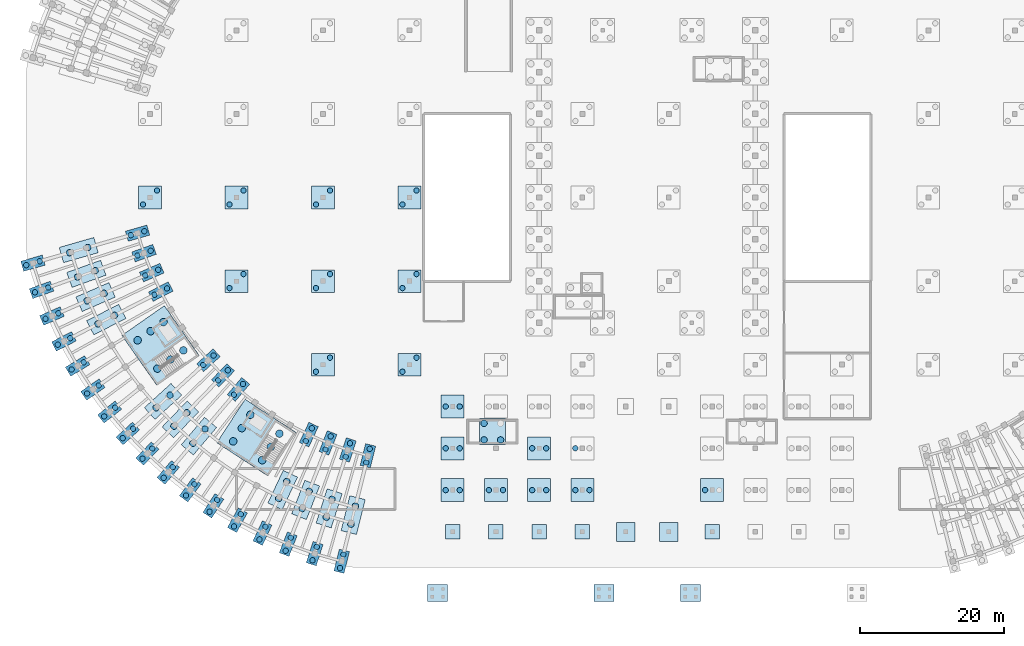
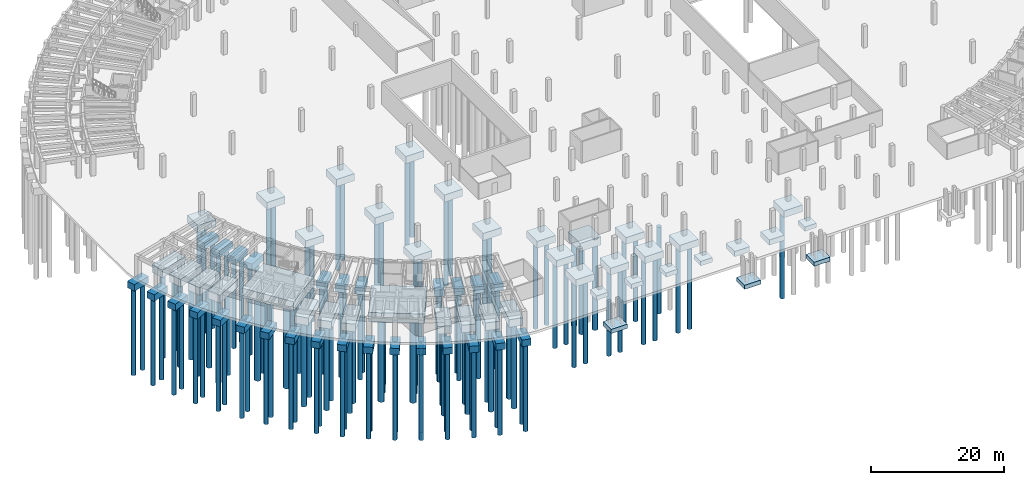
# One storey, part 1 of 29: 127 piles, 69 footings.
"""IFC4 building model written with IfcOpenShell, lengths in metres."""

from ifc_helpers import new_model, si_unit, direction, frame, origin, origin_2d, place, context, subcontext, project, spatial, rectangle, circle, extrude, material, material_profile, profile_set, type_object, element, save


model = new_model("IFC4")

# Units and contexts
model_context = context("Model", 3, precision=1e-05, world=origin(), true_north=direction((0.0, 1.0)))
body_context = subcontext(model_context, "Body", "Model", "MODEL_VIEW")
ifc_project = project(units=[si_unit("LENGTHUNIT", "METRE"), si_unit("AREAUNIT", "SQUARE_METRE"), si_unit("VOLUMEUNIT", "CUBIC_METRE"), si_unit("PLANEANGLEUNIT", "RADIAN"), si_unit("MASSUNIT", "GRAM", prefix="KILO")], contexts=[model_context])

# Site, building, storey
site_placement = place(None, origin())
site = spatial("IfcSite", under=ifc_project, at=site_placement, CompositionType="ELEMENT")
building_placement = place(site_placement, origin())
building = spatial("IfcBuilding", under=site, at=building_placement, Name="Tanwirah Colonnade Gardens", CompositionType="ELEMENT")
storey_placement = place(building_placement, frame((0.0, 0.0, -4.199951171875)))
storey = spatial("IfcBuildingStorey", under=building, at=storey_placement, Name="B1", CompositionType="ELEMENT", Elevation=-4.199951171875)

# Footings
ifc_material = material(Name="Concrete C45/55", Category="concrete")
footing_type_1 = type_object("IfcFootingType", Name="PC-2P75A", PredefinedType="PILE_CAP", material=ifc_material)
for number, where, z_axis, x_axis, name in (
    (1, (22.27197265625, 52.247802734375, -1.64990234375), (0.0, 0.0, 1.0), (-0.961261695938, -0.275637355817, 0.0), "Footing CAP-C-IN-00"),
    (2, (7.7568359375, 48.085693359375, -1.64990234375), (0.0, 0.0, 1.0), (-0.961261695938, -0.275637355817, 0.0), "Footing CAP-C-OUT-00"),
    (3, (23.164794921875, 49.4794921875, -1.64990234375), (0.0, 0.0, 1.0), (-0.941176015256, -0.337916718003, 0.0), "Footing CAP-C-IN-01"),
    (4, (8.952880859375, 44.376953125, -1.64990234375), (0.0, 0.0, 1.0), (-0.941176015256, -0.337916718003, 0.0), "Footing CAP-C-OUT-01"),
    (5, (24.236572265625, 46.775634765625, -1.64990234375), (0.0, 0.0, 1.0), (-0.917060074385, -0.398749068925, 0.0), "Footing CAP-C-IN-02"),
    (6, (10.38916015625, 40.75439453125, -1.64990234375), (0.0, 0.0, 1.0), (-0.917060074385, -0.398749068925, 0.0), "Footing CAP-C-OUT-02"),
    (7, (25.483154296875, 44.1474609375, -1.64990234375), (0.0, 0.0, 1.0), (-0.889017141486, -0.457873915117, 0.0), "Footing CAP-C-IN-03"),
    (8, (12.05908203125, 37.233642578125, -1.64990234375), (0.0, 0.0, 1.0), (-0.889017141486, -0.457873915117, 0.0), "Footing CAP-C-OUT-03"),
    (9, (13.95556640625, 33.82958984375, -1.64990234375), (0.0, 0.0, 1.0), (-0.857167300702, -0.51503807491, 0.0), "Footing CAP-C-OUT-04"),
    (10, (16.071044921875, 30.556640625, -1.64990234375), (0.0, 0.0, 1.0), (-0.821646937942, -0.569996762596, 0.0), "Footing CAP-C-OUT-05"),
    (11, (18.395751953125, 27.42919921875, -1.64990234375), (0.0, 0.0, 1.0), (-0.782608156852, -0.622514636638, 0.0), "Footing CAP-C-OUT-06"),
    (12, (32.097412109375, 34.61328125, -1.64990234375), (0.0, 0.0, 1.0), (-0.740218127487, -0.672366807435, 0.0), "Footing CAP-C-IN-07"),
    (13, (20.919921875, 24.46044921875, -1.64990234375), (0.0, 0.0, 1.0), (-0.740218127487, -0.672366807435, 0.0), "Footing CAP-C-OUT-07"),
    (14, (34.122314453125, 32.525390625, -1.64990234375), (0.0, 0.0, 1.0), (-0.694658370459, -0.719339800339, 0.0), "Footing CAP-C-IN-08"),
    (15, (23.633056640625, 21.663330078125, -1.64990234375), (0.0, 0.0, 1.0), (-0.694658370459, -0.719339800339, 0.0), "Footing CAP-C-OUT-08"),
    (16, (36.27978515625, 30.57421875, -1.64990234375), (0.0, 0.0, 1.0), (-0.646123979643, -0.763232469783, 0.0), "Footing CAP-C-IN-09"),
    (17, (26.5234375, 19.049560546875, -1.64990234375), (0.0, 0.0, 1.0), (-0.646123979643, -0.763232469783, 0.0), "Footing CAP-C-OUT-09"),
    (18, (29.578369140625, 16.63037109375, -1.64990234375), (0.0, 0.0, 1.0), (-0.594822786751, -0.803856860617, 0.0), "Footing CAP-C-OUT-10"),
    (19, (32.784912109375, 14.416015625, -1.64990234375), (0.0, 0.0, 1.0), (-0.540974471368, -0.841039012964, 0.0), "Footing CAP-C-OUT-11"),
    (20, (36.129638671875, 12.41650390625, -1.64990234375), (0.0, 0.0, 1.0), (-0.484809620246, -0.874619707139, 0.0), "Footing CAP-C-OUT-12"),
    (21, (46.0390625, 24.296875, -1.64990234375), (0.0, 0.0, 1.0), (-0.426568739901, -0.904455145454, 0.0), "Footing CAP-C-IN-13"),
    (22, (39.597900390625, 10.6396484375, -1.64990234375), (0.0, 0.0, 1.0), (-0.426568739901, -0.904455145454, 0.0), "Footing CAP-C-OUT-13"),
    (23, (48.708984375, 23.142822265625, -1.64990234375), (0.0, 0.0, 1.0), (-0.366501226724, -0.930417567982, 0.0), "Footing CAP-C-IN-14"),
    (24, (43.1748046875, 9.09375, -1.64990234375), (0.0, 0.0, 1.0), (-0.366501226724, -0.930417567982, 0.0), "Footing CAP-C-OUT-14"),
    (25, (51.44873046875, 22.166015625, -1.64990234375), (0.0, 0.0, 1.0), (-0.304864299028, -0.952395799643, 0.0), "Footing CAP-C-IN-15"),
    (26, (46.84521484375, 7.784912109375, -1.64990234375), (0.0, 0.0, 1.0), (-0.304864299028, -0.952395799643, 0.0), "Footing CAP-C-OUT-15"),
    (27, (54.24658203125, 21.370361328125, -1.64990234375), (0.0, 0.0, 1.0), (-0.2419218956, -0.970295726276, 0.0), "Footing CAP-C-IN-16"),
    (28, (50.593505859375, 6.718994140625, -1.64990234375), (0.0, 0.0, 1.0), (-0.2419218956, -0.970295726276, 0.0), "Footing CAP-C-OUT-16"),
):
    element("IfcFooting", number, at=place(storey_placement, frame(where, z_axis=z_axis, x_axis=x_axis)), inside=storey, type_object=footing_type_1, Name=name, PredefinedType="PILE_CAP", context=body_context, shape_type="SweptSolid", body=[
        extrude(rectangle(XDim=3.10009765625, YDim=1.449951171875, at=origin_2d()), origin(), (0.0, 0.0, 1.0), 1.199951171875),
    ])
footing_type_2 = type_object("IfcFootingType", Name="PC-2P90A", PredefinedType="PILE_CAP", material=ifc_material)
for number, where, z_axis, x_axis, name in (
    (29, (14.10107421875, 49.905029296875, -1.85009765625), (0.0, 0.0, 1.0), (-0.961261695938, -0.275637355817, 0.0), "Footing CAP-C-MD-00"),
    (30, (15.164794921875, 46.607421875, -1.85009765625), (0.0, 0.0, 1.0), (-0.941176015256, -0.337916718003, 0.0), "Footing CAP-C-MD-01"),
    (31, (16.441650390625, 43.38623046875, -1.85009765625), (0.0, 0.0, 1.0), (-0.917060074385, -0.398749068925, 0.0), "Footing CAP-C-MD-02"),
    (32, (17.926513671875, 40.255615234375, -1.85009765625), (0.0, 0.0, 1.0), (-0.889017141486, -0.457873915117, 0.0), "Footing CAP-C-MD-03"),
    (33, (25.805419921875, 28.898193359375, -1.85009765625), (0.0, 0.0, 1.0), (-0.740218127487, -0.672366807435, 0.0), "Footing CAP-C-MD-07"),
    (34, (28.2177734375, 26.410888671875, -1.85009765625), (0.0, 0.0, 1.0), (-0.694658370459, -0.719339800339, 0.0), "Footing CAP-C-MD-08"),
    (35, (30.787841796875, 24.0869140625, -1.85009765625), (0.0, 0.0, 1.0), (-0.646123979643, -0.763232469783, 0.0), "Footing CAP-C-MD-09"),
    (36, (42.4130859375, 16.609130859375, -1.85009765625), (0.0, 0.0, 1.0), (-0.426568739901, -0.904455145454, 0.0), "Footing CAP-C-MD-13"),
    (37, (45.59375, 15.234375, -1.85009765625), (0.0, 0.0, 1.0), (-0.366501226724, -0.930417567982, 0.0), "Footing CAP-C-MD-14"),
    (38, (48.857421875, 14.070556640625, -1.85009765625), (0.0, 0.0, 1.0), (-0.304864299028, -0.952395799643, 0.0), "Footing CAP-C-MD-15"),
    (39, (52.190185546875, 13.122802734375, -1.85009765625), (0.0, 0.0, 1.0), (-0.2419218956, -0.970295726276, 0.0), "Footing CAP-C-MD-16"),
):
    element("IfcFooting", number, at=place(storey_placement, frame(where, z_axis=z_axis, x_axis=x_axis)), inside=storey, type_object=footing_type_2, Name=name, PredefinedType="PILE_CAP", context=body_context, shape_type="SweptSolid", body=[
        extrude(rectangle(XDim=5.0, YDim=2.199951171875, at=origin_2d()), origin(), (0.0, 0.0, 1.0), 1.39990234375),
    ])
footing_type_3 = type_object("IfcFootingType", Name="PC-4P75", PredefinedType="PILE_CAP", material=ifc_material)
for number, where, z_axis, x_axis, name in (
    (40, (24.0, 57.199951171875, -1.75), (0.0, 0.0, 1.0), (1.0, 0.0, 0.0), "Footing CAP-B1G-24-9"),
    (41, (36.0, 45.60009765625, -1.75), (0.0, 0.0, 1.0), (1.0, 0.0, 0.0), "Footing CAP-B1G-36-7"),
    (42, (36.0, 57.199951171875, -1.75), (0.0, 0.0, 1.0), (1.0, 0.0, 0.0), "Footing CAP-B1G-36-9"),
    (43, (48.0, 34.0, -1.75), (0.0, 0.0, 1.0), (1.0, 0.0, 0.0), "Footing CAP-B1G-48-5"),
    (44, (48.0, 45.60009765625, -1.75), (0.0, 0.0, 1.0), (1.0, 0.0, 0.0), "Footing CAP-B1G-48-7"),
    (45, (48.0, 57.199951171875, -1.75), (0.0, 0.0, 1.0), (1.0, 0.0, 0.0), "Footing CAP-B1G-48-9"),
    (46, (60.0, 34.0, -1.75), (0.0, 0.0, 1.0), (1.0, 0.0, 0.0), "Footing CAP-B1G-60-5"),
    (47, (60.0, 45.60009765625, -1.75), (0.0, 0.0, 1.0), (1.0, 0.0, 0.0), "Footing CAP-B1G-60-7"),
    (48, (60.0, 57.199951171875, -1.75), (0.0, 0.0, 1.0), (1.0, 0.0, 0.0), "Footing CAP-B1G-60-9"),
):
    element("IfcFooting", number, at=place(storey_placement, frame(where, z_axis=z_axis, x_axis=x_axis)), inside=storey, type_object=footing_type_3, Name=name, PredefinedType="PILE_CAP", context=body_context, shape_type="SweptSolid", body=[
        extrude(rectangle(XDim=3.14990234375, YDim=3.14990234375, at=origin_2d()), origin(), (0.0, 0.0, 1.0), 1.300048828125),
    ])
footing_type_4 = type_object("IfcFootingType", Name="PC-4P90", PredefinedType="PILE_CAP", material=ifc_material)
footing_placement = place(storey_placement, frame((71.5, 24.7099609375, -1.949951171875), z_axis=(0.0, 0.0, 1.0), x_axis=(1.0, 0.0, 0.0)))
element("IfcFooting", 49, at=footing_placement, inside=storey, type_object=footing_type_4, Name="Footing CAP-CORE-SW", PredefinedType="PILE_CAP", context=body_context, shape_type="SweptSolid", body=[
    extrude(rectangle(XDim=3.60009765625, YDim=3.60009765625, at=origin_2d()), origin(), (0.0, 0.0, 1.0), 1.5),
])
footing_type_5 = type_object("IfcFootingType", Name="PC-COREB", PredefinedType="PILE_CAP", material=ifc_material)
for number, where, z_axis, x_axis, name in (
    (50, (25.451416015625, 36.685546875, -2.14990234375), (0.0, 0.0, 1.0), (0.819152044289, 0.573576436351, 0.0), "Footing CAP-CORE-C1"),
    (51, (38.75048828125, 23.895751953125, -2.14990234375), (0.0, 0.0, 1.0), (0.544639035015, 0.838670567945, 0.0), "Footing CAP-CORE-C2"),
):
    element("IfcFooting", number, at=place(storey_placement, frame(where, z_axis=z_axis, x_axis=x_axis)), inside=storey, type_object=footing_type_5, Name=name, PredefinedType="PILE_CAP", context=body_context, shape_type="SweptSolid", body=[
        extrude(rectangle(XDim=7.199951171875, YDim=8.39990234375, at=origin_2d()), origin(), (0.0, 0.0, 1.0), 1.699951171875),
    ])
footing_type_6 = type_object("IfcFootingType", Name="PC-PAV1", PredefinedType="PILE_CAP", material=ifc_material)
for number, where, z_axis, x_axis, name in (
    (52, (66.0, 16.60009765625, -1.699951171875), (0.0, 0.0, 1.0), (1.0, 0.0, 0.0), "Footing CAP-SHP-W-0-1"),
    (53, (66.0, 22.39990234375, -1.699951171875), (0.0, 0.0, 1.0), (1.0, 0.0, 0.0), "Footing CAP-SHP-W-0-2"),
    (54, (66.0, 28.199951171875, -1.699951171875), (0.0, 0.0, 1.0), (1.0, 0.0, 0.0), "Footing CAP-SHP-W-0-3"),
    (55, (72.0, 16.60009765625, -1.699951171875), (0.0, 0.0, 1.0), (1.0, 0.0, 0.0), "Footing CAP-SHP-W-1-1"),
    (56, (78.0, 16.60009765625, -1.699951171875), (0.0, 0.0, 1.0), (1.0, 0.0, 0.0), "Footing CAP-SHP-W-2-1"),
    (57, (78.0, 22.39990234375, -1.699951171875), (0.0, 0.0, 1.0), (1.0, 0.0, 0.0), "Footing CAP-SHP-W-2-2"),
    (58, (84.0, 16.60009765625, -1.699951171875), (0.0, 0.0, 1.0), (1.0, 0.0, 0.0), "Footing CAP-SHP-W-3-1"),
    (59, (102.0, 16.60009765625, -1.699951171875), (0.0, 0.0, 1.0), (1.0, 0.0, 0.0), "Footing CAP-SHP-E-0-1"),
):
    element("IfcFooting", number, at=place(storey_placement, frame(where, z_axis=z_axis, x_axis=x_axis)), inside=storey, type_object=footing_type_6, Name=name, PredefinedType="PILE_CAP", context=body_context, shape_type="SweptSolid", body=[
        extrude(rectangle(XDim=3.199951171875, YDim=3.199951171875, at=origin_2d()), origin(), (0.0, 0.0, 1.0), 1.25),
    ])
footing_type_7 = type_object("IfcFootingType", Name="PF-ARC1", PredefinedType="PAD_FOOTING", material=ifc_material)
for number, where, z_axis, x_axis, name in (
    (60, (66.0, 10.800048828125, -1.25), (0.0, 0.0, 1.0), (1.0, 0.0, 0.0), "Footing PF-SHP-W-0"),
    (61, (72.0, 10.800048828125, -1.25), (0.0, 0.0, 1.0), (1.0, 0.0, 0.0), "Footing PF-SHP-W-1"),
    (62, (78.0, 10.800048828125, -1.25), (0.0, 0.0, 1.0), (1.0, 0.0, 0.0), "Footing PF-SHP-W-2"),
    (63, (84.0, 10.800048828125, -1.25), (0.0, 0.0, 1.0), (1.0, 0.0, 0.0), "Footing PF-SHP-W-3"),
    (64, (102.0, 10.800048828125, -1.25), (0.0, 0.0, 1.0), (1.0, 0.0, 0.0), "Footing PF-SHP-E-0"),
):
    element("IfcFooting", number, at=place(storey_placement, frame(where, z_axis=z_axis, x_axis=x_axis)), inside=storey, type_object=footing_type_7, Name=name, PredefinedType="PAD_FOOTING", context=body_context, shape_type="SweptSolid", body=[
        extrude(rectangle(XDim=2.0, YDim=2.0, at=origin_2d()), origin(), (0.0, 0.0, 1.0), 0.800048828125),
    ])
footing_type_8 = type_object("IfcFootingType", Name="PF-CAN2", PredefinedType="PAD_FOOTING", material=ifc_material)
for number, where, z_axis, x_axis, name in (
    (65, (90.0, 10.800048828125, -1.39990234375), (0.0, 0.0, 1.0), (1.0, 0.0, 0.0), "Footing PF-CAN-1-0"),
    (66, (96.0, 10.800048828125, -1.39990234375), (0.0, 0.0, 1.0), (1.0, 0.0, 0.0), "Footing PF-CAN-2-0"),
):
    element("IfcFooting", number, at=place(storey_placement, frame(where, z_axis=z_axis, x_axis=x_axis)), inside=storey, type_object=footing_type_8, Name=name, PredefinedType="PAD_FOOTING", context=body_context, shape_type="SweptSolid", body=[
        extrude(rectangle(XDim=2.60009765625, YDim=2.60009765625, at=origin_2d()), origin(), (0.0, 0.0, 1.0), 0.949951171875),
    ])
footing_type_9 = type_object("IfcFootingType", Name="PF-RMP1", PredefinedType="PAD_FOOTING", material=ifc_material)
for number, where, z_axis, x_axis, name in (
    (67, (63.89990234375, 2.330078125, -1.199951171875), (0.0, 0.0, 1.0), (1.0, 0.0, 0.0), "Accessible Ramp PED-W Footing"),
    (68, (87.0, 2.330078125, -1.199951171875), (0.0, 0.0, 1.0), (1.0, 0.0, 0.0), "Accessible Ramp PED-CW Footing"),
    (69, (99.0, 2.330078125, -1.199951171875), (0.0, 0.0, 1.0), (1.0, 0.0, 0.0), "Accessible Ramp PED-CE Footing"),
):
    element("IfcFooting", number, at=place(storey_placement, frame(where, z_axis=z_axis, x_axis=x_axis)), inside=storey, type_object=footing_type_9, Name=name, PredefinedType="PAD_FOOTING", context=body_context, shape_type="SweptSolid", body=[
        extrude(rectangle(XDim=2.800048828125, YDim=2.39990234375, at=origin_2d()), origin(), (0.0, 0.0, 1.0), 0.75),
    ])

# Piles
ifc_material_profile_1 = material_profile(ifc_material, circle(Radius=0.52490234375, at=origin_2d()), Name="PILE D1050")
ifc_profile_set_1 = profile_set([ifc_material_profile_1], Name="Concrete C45/55")
pile_type_1 = type_object("IfcPileType", Name="PILE-D1050", PredefinedType="BORED", material=ifc_profile_set_1)
for number, where, z_axis, x_axis, name in (
    (70, (25.02587890625, 33.457763671875, -2.030029296875), (0.0, 0.0, -1.0), (1.0, 0.0, 0.0), "Bored pile CAP-CORE-C1-P1"),
    (71, (26.827880859375, 34.7197265625, -2.030029296875), (0.0, 0.0, -1.0), (1.0, 0.0, 0.0), "Bored pile CAP-CORE-C1-P2"),
    (72, (28.630126953125, 35.981689453125, -2.030029296875), (0.0, 0.0, -1.0), (1.0, 0.0, 0.0), "Bored pile CAP-CORE-C1-P3"),
    (73, (22.272705078125, 37.3896484375, -2.030029296875), (0.0, 0.0, -1.0), (1.0, 0.0, 0.0), "Bored pile CAP-CORE-C1-P4"),
    (74, (24.07470703125, 38.651611328125, -2.030029296875), (0.0, 0.0, -1.0), (1.0, 0.0, 0.0), "Bored pile CAP-CORE-C1-P5"),
    (75, (25.876953125, 39.91357421875, -2.030029296875), (0.0, 0.0, -1.0), (1.0, 0.0, 0.0), "Bored pile CAP-CORE-C1-P6"),
    (76, (39.565185546875, 20.74365234375, -2.030029296875), (0.0, 0.0, -1.0), (1.0, 0.0, 0.0), "Bored pile CAP-CORE-C2-P1"),
    (77, (40.763427734375, 22.588623046875, -2.030029296875), (0.0, 0.0, -1.0), (1.0, 0.0, 0.0), "Bored pile CAP-CORE-C2-P2"),
    (78, (41.961669921875, 24.433837890625, -2.030029296875), (0.0, 0.0, -1.0), (1.0, 0.0, 0.0), "Bored pile CAP-CORE-C2-P3"),
    (79, (35.53955078125, 23.35791015625, -2.030029296875), (0.0, 0.0, -1.0), (1.0, 0.0, 0.0), "Bored pile CAP-CORE-C2-P4"),
    (80, (36.73779296875, 25.202880859375, -2.030029296875), (0.0, 0.0, -1.0), (1.0, 0.0, 0.0), "Bored pile CAP-CORE-C2-P5"),
    (81, (37.93603515625, 27.048095703125, -2.030029296875), (0.0, 0.0, -1.0), (1.0, 0.0, 0.0), "Bored pile CAP-CORE-C2-P6"),
):
    element("IfcPile", number, at=place(storey_placement, frame(where, z_axis=z_axis, x_axis=x_axis)), inside=storey, type_object=pile_type_1, Name=name, PredefinedType="BORED", context=body_context, shape_type="SweptSolid", body=[
        extrude(circle(Radius=0.52490234375, at=origin_2d()), origin(), (0.0, 0.0, 1.0), 15.419921875),
    ])
ifc_material_profile_2 = material_profile(ifc_material, circle(Radius=0.375, at=origin_2d()), Name="PILE D750")
ifc_profile_set_2 = profile_set([ifc_material_profile_2], Name="Concrete C45/55")
pile_type_2 = type_object("IfcPileType", Name="PILE-D750", PredefinedType="BORED", material=ifc_profile_set_2)
for number, where, z_axis, x_axis, name in (
    (82, (23.209228515625, 52.5166015625, -1.530029296875), (0.0, 0.0, -1.0), (1.0, 0.0, 0.0), "Bored pile CAP-C-IN-00-P1"),
    (83, (21.334716796875, 51.979248046875, -1.530029296875), (0.0, 0.0, -1.0), (1.0, 0.0, 0.0), "Bored pile CAP-C-IN-00-P2"),
    (84, (8.694091796875, 48.3544921875, -1.530029296875), (0.0, 0.0, -1.0), (1.0, 0.0, 0.0), "Bored pile CAP-C-OUT-00-P1"),
    (85, (6.819580078125, 47.817138671875, -1.530029296875), (0.0, 0.0, -1.0), (1.0, 0.0, 0.0), "Bored pile CAP-C-OUT-00-P2"),
    (86, (24.082275390625, 49.80908203125, -1.530029296875), (0.0, 0.0, -1.0), (1.0, 0.0, 0.0), "Bored pile CAP-C-IN-01-P1"),
    (87, (22.2470703125, 49.150146484375, -1.530029296875), (0.0, 0.0, -1.0), (1.0, 0.0, 0.0), "Bored pile CAP-C-IN-01-P2"),
    (88, (9.87060546875, 44.70654296875, -1.530029296875), (0.0, 0.0, -1.0), (1.0, 0.0, 0.0), "Bored pile CAP-C-OUT-01-P1"),
    (89, (8.035400390625, 44.047607421875, -1.530029296875), (0.0, 0.0, -1.0), (1.0, 0.0, 0.0), "Bored pile CAP-C-OUT-01-P2"),
    (90, (25.130859375, 47.164306640625, -1.530029296875), (0.0, 0.0, -1.0), (1.0, 0.0, 0.0), "Bored pile CAP-C-IN-02-P1"),
    (91, (23.342529296875, 46.38671875, -1.530029296875), (0.0, 0.0, -1.0), (1.0, 0.0, 0.0), "Bored pile CAP-C-IN-02-P2"),
    (92, (11.283203125, 41.143310546875, -1.530029296875), (0.0, 0.0, -1.0), (1.0, 0.0, 0.0), "Bored pile CAP-C-OUT-02-P1"),
    (93, (9.494873046875, 40.36572265625, -1.530029296875), (0.0, 0.0, -1.0), (1.0, 0.0, 0.0), "Bored pile CAP-C-OUT-02-P2"),
    (94, (26.35009765625, 44.593994140625, -1.530029296875), (0.0, 0.0, -1.0), (1.0, 0.0, 0.0), "Bored pile CAP-C-IN-03-P1"),
    (95, (24.616455078125, 43.701171875, -1.530029296875), (0.0, 0.0, -1.0), (1.0, 0.0, 0.0), "Bored pile CAP-C-IN-03-P2"),
    (96, (12.92578125, 37.679931640625, -1.530029296875), (0.0, 0.0, -1.0), (1.0, 0.0, 0.0), "Bored pile CAP-C-OUT-03-P1"),
    (97, (11.192138671875, 36.787109375, -1.530029296875), (0.0, 0.0, -1.0), (1.0, 0.0, 0.0), "Bored pile CAP-C-OUT-03-P2"),
    (98, (14.79150390625, 34.33154296875, -1.530029296875), (0.0, 0.0, -1.0), (1.0, 0.0, 0.0), "Bored pile CAP-C-OUT-04-P1"),
    (99, (13.119873046875, 33.327392578125, -1.530029296875), (0.0, 0.0, -1.0), (1.0, 0.0, 0.0), "Bored pile CAP-C-OUT-04-P2"),
    (100, (16.8720703125, 31.112548828125, -1.530029296875), (0.0, 0.0, -1.0), (1.0, 0.0, 0.0), "Bored pile CAP-C-OUT-05-P1"),
    (101, (15.269775390625, 30.0009765625, -1.530029296875), (0.0, 0.0, -1.0), (1.0, 0.0, 0.0), "Bored pile CAP-C-OUT-05-P2"),
    (102, (19.15869140625, 28.0361328125, -1.530029296875), (0.0, 0.0, -1.0), (1.0, 0.0, 0.0), "Bored pile CAP-C-OUT-06-P1"),
    (103, (17.632568359375, 26.822265625, -1.530029296875), (0.0, 0.0, -1.0), (1.0, 0.0, 0.0), "Bored pile CAP-C-OUT-06-P2"),
    (104, (32.819091796875, 35.268798828125, -1.530029296875), (0.0, 0.0, -1.0), (1.0, 0.0, 0.0), "Bored pile CAP-C-IN-07-P1"),
    (105, (31.37548828125, 33.957763671875, -1.530029296875), (0.0, 0.0, -1.0), (1.0, 0.0, 0.0), "Bored pile CAP-C-IN-07-P2"),
    (106, (21.641845703125, 25.1162109375, -1.530029296875), (0.0, 0.0, -1.0), (1.0, 0.0, 0.0), "Bored pile CAP-C-OUT-07-P1"),
    (107, (20.1982421875, 23.804931640625, -1.530029296875), (0.0, 0.0, -1.0), (1.0, 0.0, 0.0), "Bored pile CAP-C-OUT-07-P2"),
    (108, (34.7998046875, 33.226806640625, -1.530029296875), (0.0, 0.0, -1.0), (1.0, 0.0, 0.0), "Bored pile CAP-C-IN-08-P1"),
    (109, (33.445068359375, 31.823974609375, -1.530029296875), (0.0, 0.0, -1.0), (1.0, 0.0, 0.0), "Bored pile CAP-C-IN-08-P2"),
    (110, (24.310302734375, 22.36474609375, -1.530029296875), (0.0, 0.0, -1.0), (1.0, 0.0, 0.0), "Bored pile CAP-C-OUT-08-P1"),
    (111, (22.955810546875, 20.9619140625, -1.530029296875), (0.0, 0.0, -1.0), (1.0, 0.0, 0.0), "Bored pile CAP-C-OUT-08-P2"),
    (112, (36.90966796875, 31.318359375, -1.530029296875), (0.0, 0.0, -1.0), (1.0, 0.0, 0.0), "Bored pile CAP-C-IN-09-P1"),
    (113, (35.64990234375, 29.830078125, -1.530029296875), (0.0, 0.0, -1.0), (1.0, 0.0, 0.0), "Bored pile CAP-C-IN-09-P2"),
    (114, (27.1533203125, 19.793701171875, -1.530029296875), (0.0, 0.0, -1.0), (1.0, 0.0, 0.0), "Bored pile CAP-C-OUT-09-P1"),
    (115, (25.893310546875, 18.305419921875, -1.530029296875), (0.0, 0.0, -1.0), (1.0, 0.0, 0.0), "Bored pile CAP-C-OUT-09-P2"),
    (116, (30.158203125, 17.4140625, -1.530029296875), (0.0, 0.0, -1.0), (1.0, 0.0, 0.0), "Bored pile CAP-C-OUT-10-P1"),
    (117, (28.998291015625, 15.8466796875, -1.530029296875), (0.0, 0.0, -1.0), (1.0, 0.0, 0.0), "Bored pile CAP-C-OUT-10-P2"),
    (118, (33.3125, 15.236083984375, -1.530029296875), (0.0, 0.0, -1.0), (1.0, 0.0, 0.0), "Bored pile CAP-C-OUT-11-P1"),
    (119, (32.257568359375, 13.59619140625, -1.530029296875), (0.0, 0.0, -1.0), (1.0, 0.0, 0.0), "Bored pile CAP-C-OUT-11-P2"),
    (120, (36.602294921875, 13.26904296875, -1.530029296875), (0.0, 0.0, -1.0), (1.0, 0.0, 0.0), "Bored pile CAP-C-OUT-12-P1"),
    (121, (35.656982421875, 11.563720703125, -1.530029296875), (0.0, 0.0, -1.0), (1.0, 0.0, 0.0), "Bored pile CAP-C-OUT-12-P2"),
    (122, (46.454833984375, 25.1787109375, -1.530029296875), (0.0, 0.0, -1.0), (1.0, 0.0, 0.0), "Bored pile CAP-C-IN-13-P1"),
    (123, (45.623046875, 23.4150390625, -1.530029296875), (0.0, 0.0, -1.0), (1.0, 0.0, 0.0), "Bored pile CAP-C-IN-13-P2"),
    (124, (40.013671875, 11.521484375, -1.530029296875), (0.0, 0.0, -1.0), (1.0, 0.0, 0.0), "Bored pile CAP-C-OUT-13-P1"),
    (125, (39.181884765625, 9.7578125, -1.530029296875), (0.0, 0.0, -1.0), (1.0, 0.0, 0.0), "Bored pile CAP-C-OUT-13-P2"),
    (126, (49.06640625, 24.050048828125, -1.530029296875), (0.0, 0.0, -1.0), (1.0, 0.0, 0.0), "Bored pile CAP-C-IN-14-P1"),
    (127, (48.3515625, 22.23583984375, -1.530029296875), (0.0, 0.0, -1.0), (1.0, 0.0, 0.0), "Bored pile CAP-C-IN-14-P2"),
    (128, (43.5322265625, 10.000732421875, -1.530029296875), (0.0, 0.0, -1.0), (1.0, 0.0, 0.0), "Bored pile CAP-C-OUT-14-P1"),
    (129, (42.817626953125, 8.1865234375, -1.530029296875), (0.0, 0.0, -1.0), (1.0, 0.0, 0.0), "Bored pile CAP-C-OUT-14-P2"),
    (130, (51.74609375, 23.094482421875, -1.530029296875), (0.0, 0.0, -1.0), (1.0, 0.0, 0.0), "Bored pile CAP-C-IN-15-P1"),
    (131, (51.151611328125, 21.2373046875, -1.530029296875), (0.0, 0.0, -1.0), (1.0, 0.0, 0.0), "Bored pile CAP-C-IN-15-P2"),
    (132, (47.142578125, 8.71337890625, -1.530029296875), (0.0, 0.0, -1.0), (1.0, 0.0, 0.0), "Bored pile CAP-C-OUT-15-P1"),
    (133, (46.548095703125, 6.856201171875, -1.530029296875), (0.0, 0.0, -1.0), (1.0, 0.0, 0.0), "Bored pile CAP-C-OUT-15-P2"),
    (134, (54.482421875, 22.31640625, -1.530029296875), (0.0, 0.0, -1.0), (1.0, 0.0, 0.0), "Bored pile CAP-C-IN-16-P1"),
    (135, (54.0107421875, 20.42431640625, -1.530029296875), (0.0, 0.0, -1.0), (1.0, 0.0, 0.0), "Bored pile CAP-C-IN-16-P2"),
    (136, (50.829345703125, 7.6650390625, -1.530029296875), (0.0, 0.0, -1.0), (1.0, 0.0, 0.0), "Bored pile CAP-C-OUT-16-P1"),
    (137, (50.357666015625, 5.77294921875, -1.530029296875), (0.0, 0.0, -1.0), (1.0, 0.0, 0.0), "Bored pile CAP-C-OUT-16-P2"),
):
    element("IfcPile", number, at=place(storey_placement, frame(where, z_axis=z_axis, x_axis=x_axis)), inside=storey, type_object=pile_type_2, Name=name, PredefinedType="BORED", context=body_context, shape_type="SweptSolid", body=[
        extrude(circle(Radius=0.375, at=origin_2d()), origin(), (0.0, 0.0, 1.0), 15.919921875),
    ])
for number, where, z_axis, x_axis, name in (
    (138, (65.02490234375, 16.60009765625, -1.580078125), (0.0, 0.0, -1.0), (1.0, 0.0, 0.0), "Bored pile CAP-SHP-W-0-1-P1"),
    (139, (66.97509765625, 16.60009765625, -1.580078125), (0.0, 0.0, -1.0), (1.0, 0.0, 0.0), "Bored pile CAP-SHP-W-0-1-P2"),
    (140, (65.02490234375, 22.39990234375, -1.580078125), (0.0, 0.0, -1.0), (1.0, 0.0, 0.0), "Bored pile CAP-SHP-W-0-2-P1"),
    (141, (66.97509765625, 22.39990234375, -1.580078125), (0.0, 0.0, -1.0), (1.0, 0.0, 0.0), "Bored pile CAP-SHP-W-0-2-P2"),
    (142, (65.02490234375, 28.199951171875, -1.580078125), (0.0, 0.0, -1.0), (1.0, 0.0, 0.0), "Bored pile CAP-SHP-W-0-3-P1"),
    (143, (66.97509765625, 28.199951171875, -1.580078125), (0.0, 0.0, -1.0), (1.0, 0.0, 0.0), "Bored pile CAP-SHP-W-0-3-P2"),
    (144, (71.02490234375, 16.60009765625, -1.580078125), (0.0, 0.0, -1.0), (1.0, 0.0, 0.0), "Bored pile CAP-SHP-W-1-1-P1"),
    (145, (72.97509765625, 16.60009765625, -1.580078125), (0.0, 0.0, -1.0), (1.0, 0.0, 0.0), "Bored pile CAP-SHP-W-1-1-P2"),
    (146, (77.02490234375, 16.60009765625, -1.580078125), (0.0, 0.0, -1.0), (1.0, 0.0, 0.0), "Bored pile CAP-SHP-W-2-1-P1"),
    (147, (78.97509765625, 16.60009765625, -1.580078125), (0.0, 0.0, -1.0), (1.0, 0.0, 0.0), "Bored pile CAP-SHP-W-2-1-P2"),
    (148, (77.02490234375, 22.39990234375, -1.580078125), (0.0, 0.0, -1.0), (1.0, 0.0, 0.0), "Bored pile CAP-SHP-W-2-2-P1"),
    (149, (78.97509765625, 22.39990234375, -1.580078125), (0.0, 0.0, -1.0), (1.0, 0.0, 0.0), "Bored pile CAP-SHP-W-2-2-P2"),
    (150, (83.02490234375, 16.60009765625, -1.580078125), (0.0, 0.0, -1.0), (1.0, 0.0, 0.0), "Bored pile CAP-SHP-W-3-1-P1"),
    (151, (84.97509765625, 16.60009765625, -1.580078125), (0.0, 0.0, -1.0), (1.0, 0.0, 0.0), "Bored pile CAP-SHP-W-3-1-P2"),
    (152, (83.02490234375, 22.39990234375, -1.580078125), (0.0, 0.0, -1.0), (1.0, 0.0, 0.0), "Bored pile CAP-SHP-W-3-2-P1"),
    (153, (101.02490234375, 16.60009765625, -1.580078125), (0.0, 0.0, -1.0), (1.0, 0.0, 0.0), "Bored pile CAP-SHP-E-0-1-P1"),
):
    element("IfcPile", number, at=place(storey_placement, frame(where, z_axis=z_axis, x_axis=x_axis)), inside=storey, type_object=pile_type_2, Name=name, PredefinedType="BORED", context=body_context, shape_type="SweptSolid", body=[
        extrude(circle(Radius=0.375, at=origin_2d()), origin(), (0.0, 0.0, 1.0), 15.8701171875),
    ])
for number, where, z_axis, x_axis, name in (
    (154, (23.02490234375, 56.22509765625, -1.630126953125), (0.0, 0.0, -1.0), (1.0, 0.0, 0.0), "Bored pile CAP-B1G-24-9-P1"),
    (155, (24.97509765625, 58.175048828125, -1.630126953125), (0.0, 0.0, -1.0), (1.0, 0.0, 0.0), "Bored pile CAP-B1G-24-9-P2"),
    (156, (35.02490234375, 44.625, -1.630126953125), (0.0, 0.0, -1.0), (1.0, 0.0, 0.0), "Bored pile CAP-B1G-36-7-P1"),
    (157, (36.97509765625, 46.574951171875, -1.630126953125), (0.0, 0.0, -1.0), (1.0, 0.0, 0.0), "Bored pile CAP-B1G-36-7-P2"),
    (158, (35.02490234375, 56.22509765625, -1.630126953125), (0.0, 0.0, -1.0), (1.0, 0.0, 0.0), "Bored pile CAP-B1G-36-9-P1"),
    (159, (36.97509765625, 58.175048828125, -1.630126953125), (0.0, 0.0, -1.0), (1.0, 0.0, 0.0), "Bored pile CAP-B1G-36-9-P2"),
    (160, (47.02490234375, 33.02490234375, -1.630126953125), (0.0, 0.0, -1.0), (1.0, 0.0, 0.0), "Bored pile CAP-B1G-48-5-P1"),
    (161, (48.97509765625, 34.97509765625, -1.630126953125), (0.0, 0.0, -1.0), (1.0, 0.0, 0.0), "Bored pile CAP-B1G-48-5-P2"),
    (162, (47.02490234375, 44.625, -1.630126953125), (0.0, 0.0, -1.0), (1.0, 0.0, 0.0), "Bored pile CAP-B1G-48-7-P1"),
    (163, (48.97509765625, 46.574951171875, -1.630126953125), (0.0, 0.0, -1.0), (1.0, 0.0, 0.0), "Bored pile CAP-B1G-48-7-P2"),
    (164, (47.02490234375, 56.22509765625, -1.630126953125), (0.0, 0.0, -1.0), (1.0, 0.0, 0.0), "Bored pile CAP-B1G-48-9-P1"),
    (165, (48.97509765625, 58.175048828125, -1.630126953125), (0.0, 0.0, -1.0), (1.0, 0.0, 0.0), "Bored pile CAP-B1G-48-9-P2"),
    (166, (59.02490234375, 33.02490234375, -1.630126953125), (0.0, 0.0, -1.0), (1.0, 0.0, 0.0), "Bored pile CAP-B1G-60-5-P1"),
    (167, (60.97509765625, 34.97509765625, -1.630126953125), (0.0, 0.0, -1.0), (1.0, 0.0, 0.0), "Bored pile CAP-B1G-60-5-P2"),
    (168, (59.02490234375, 44.625, -1.630126953125), (0.0, 0.0, -1.0), (1.0, 0.0, 0.0), "Bored pile CAP-B1G-60-7-P1"),
    (169, (60.97509765625, 46.574951171875, -1.630126953125), (0.0, 0.0, -1.0), (1.0, 0.0, 0.0), "Bored pile CAP-B1G-60-7-P2"),
    (170, (59.02490234375, 56.22509765625, -1.630126953125), (0.0, 0.0, -1.0), (1.0, 0.0, 0.0), "Bored pile CAP-B1G-60-9-P1"),
    (171, (60.97509765625, 58.175048828125, -1.630126953125), (0.0, 0.0, -1.0), (1.0, 0.0, 0.0), "Bored pile CAP-B1G-60-9-P2"),
):
    element("IfcPile", number, at=place(storey_placement, frame(where, z_axis=z_axis, x_axis=x_axis)), inside=storey, type_object=pile_type_2, Name=name, PredefinedType="BORED", context=body_context, shape_type="SweptSolid", body=[
        extrude(circle(Radius=0.375, at=origin_2d()), origin(), (0.0, 0.0, 1.0), 15.820068359375),
    ])
ifc_material_profile_3 = material_profile(ifc_material, circle(Radius=0.449951171875, at=origin_2d()), Name="PILE D900")
ifc_profile_set_3 = profile_set([ifc_material_profile_3], Name="Concrete C45/55")
pile_type_3 = type_object("IfcPileType", Name="PILE-D900", PredefinedType="BORED", material=ifc_profile_set_3)
for number, where, z_axis, x_axis, name in (
    (172, (70.35009765625, 23.56005859375, -1.830078125), (0.0, 0.0, -1.0), (1.0, 0.0, 0.0), "Bored pile CAP-CORE-SW-P1"),
    (173, (72.64990234375, 23.56005859375, -1.830078125), (0.0, 0.0, -1.0), (1.0, 0.0, 0.0), "Bored pile CAP-CORE-SW-P2"),
    (174, (70.35009765625, 25.860107421875, -1.830078125), (0.0, 0.0, -1.0), (1.0, 0.0, 0.0), "Bored pile CAP-CORE-SW-P3"),
):
    element("IfcPile", number, at=place(storey_placement, frame(where, z_axis=z_axis, x_axis=x_axis)), inside=storey, type_object=pile_type_3, Name=name, PredefinedType="BORED", context=body_context, shape_type="SweptSolid", body=[
        extrude(circle(Radius=0.449951171875, at=origin_2d()), origin(), (0.0, 0.0, 1.0), 15.6201171875),
    ])
for number, where, z_axis, x_axis, name in (
    (175, (15.350830078125, 50.263427734375, -1.72998046875), (0.0, 0.0, -1.0), (1.0, 0.0, 0.0), "Bored pile CAP-C-MD-00-P1"),
    (176, (12.8515625, 49.546630859375, -1.72998046875), (0.0, 0.0, -1.0), (1.0, 0.0, 0.0), "Bored pile CAP-C-MD-00-P2"),
    (177, (16.38818359375, 47.046630859375, -1.72998046875), (0.0, 0.0, -1.0), (1.0, 0.0, 0.0), "Bored pile CAP-C-MD-01-P1"),
    (178, (13.941162109375, 46.16796875, -1.72998046875), (0.0, 0.0, -1.0), (1.0, 0.0, 0.0), "Bored pile CAP-C-MD-01-P2"),
    (179, (17.6337890625, 43.904541015625, -1.72998046875), (0.0, 0.0, -1.0), (1.0, 0.0, 0.0), "Bored pile CAP-C-MD-02-P1"),
    (180, (15.24951171875, 42.867919921875, -1.72998046875), (0.0, 0.0, -1.0), (1.0, 0.0, 0.0), "Bored pile CAP-C-MD-02-P2"),
    (181, (19.082275390625, 40.850830078125, -1.72998046875), (0.0, 0.0, -1.0), (1.0, 0.0, 0.0), "Bored pile CAP-C-MD-03-P1"),
    (182, (16.770751953125, 39.660400390625, -1.72998046875), (0.0, 0.0, -1.0), (1.0, 0.0, 0.0), "Bored pile CAP-C-MD-03-P2"),
    (183, (26.767822265625, 29.772216796875, -1.72998046875), (0.0, 0.0, -1.0), (1.0, 0.0, 0.0), "Bored pile CAP-C-MD-07-P1"),
    (184, (24.84326171875, 28.024169921875, -1.72998046875), (0.0, 0.0, -1.0), (1.0, 0.0, 0.0), "Bored pile CAP-C-MD-07-P2"),
    (185, (29.120849609375, 27.34619140625, -1.72998046875), (0.0, 0.0, -1.0), (1.0, 0.0, 0.0), "Bored pile CAP-C-MD-08-P1"),
    (186, (27.314697265625, 25.475830078125, -1.72998046875), (0.0, 0.0, -1.0), (1.0, 0.0, 0.0), "Bored pile CAP-C-MD-08-P2"),
    (187, (31.627685546875, 25.0791015625, -1.72998046875), (0.0, 0.0, -1.0), (1.0, 0.0, 0.0), "Bored pile CAP-C-MD-09-P1"),
    (188, (29.94775390625, 23.0947265625, -1.72998046875), (0.0, 0.0, -1.0), (1.0, 0.0, 0.0), "Bored pile CAP-C-MD-09-P2"),
    (189, (42.9677734375, 17.784912109375, -1.72998046875), (0.0, 0.0, -1.0), (1.0, 0.0, 0.0), "Bored pile CAP-C-MD-13-P1"),
    (190, (41.858642578125, 15.433349609375, -1.72998046875), (0.0, 0.0, -1.0), (1.0, 0.0, 0.0), "Bored pile CAP-C-MD-13-P2"),
    (191, (46.0703125, 16.44384765625, -1.72998046875), (0.0, 0.0, -1.0), (1.0, 0.0, 0.0), "Bored pile CAP-C-MD-14-P1"),
    (192, (45.1171875, 14.02490234375, -1.72998046875), (0.0, 0.0, -1.0), (1.0, 0.0, 0.0), "Bored pile CAP-C-MD-14-P2"),
    (193, (49.253662109375, 15.308837890625, -1.72998046875), (0.0, 0.0, -1.0), (1.0, 0.0, 0.0), "Bored pile CAP-C-MD-15-P1"),
    (194, (48.461181640625, 12.83251953125, -1.72998046875), (0.0, 0.0, -1.0), (1.0, 0.0, 0.0), "Bored pile CAP-C-MD-15-P2"),
    (195, (52.504638671875, 14.38427734375, -1.72998046875), (0.0, 0.0, -1.0), (1.0, 0.0, 0.0), "Bored pile CAP-C-MD-16-P1"),
    (196, (51.875732421875, 11.861572265625, -1.72998046875), (0.0, 0.0, -1.0), (1.0, 0.0, 0.0), "Bored pile CAP-C-MD-16-P2"),
):
    element("IfcPile", number, at=place(storey_placement, frame(where, z_axis=z_axis, x_axis=x_axis)), inside=storey, type_object=pile_type_3, Name=name, PredefinedType="BORED", context=body_context, shape_type="SweptSolid", body=[
        extrude(circle(Radius=0.449951171875, at=origin_2d()), origin(), (0.0, 0.0, 1.0), 15.719970703125),
    ])

save(model, "model.ifc")
